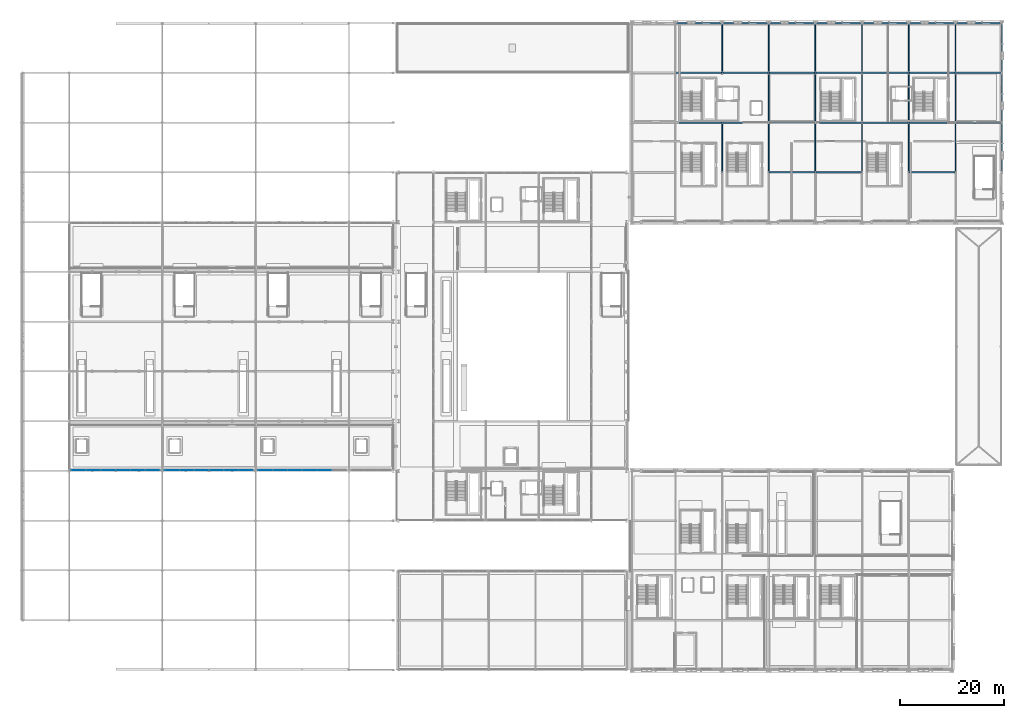
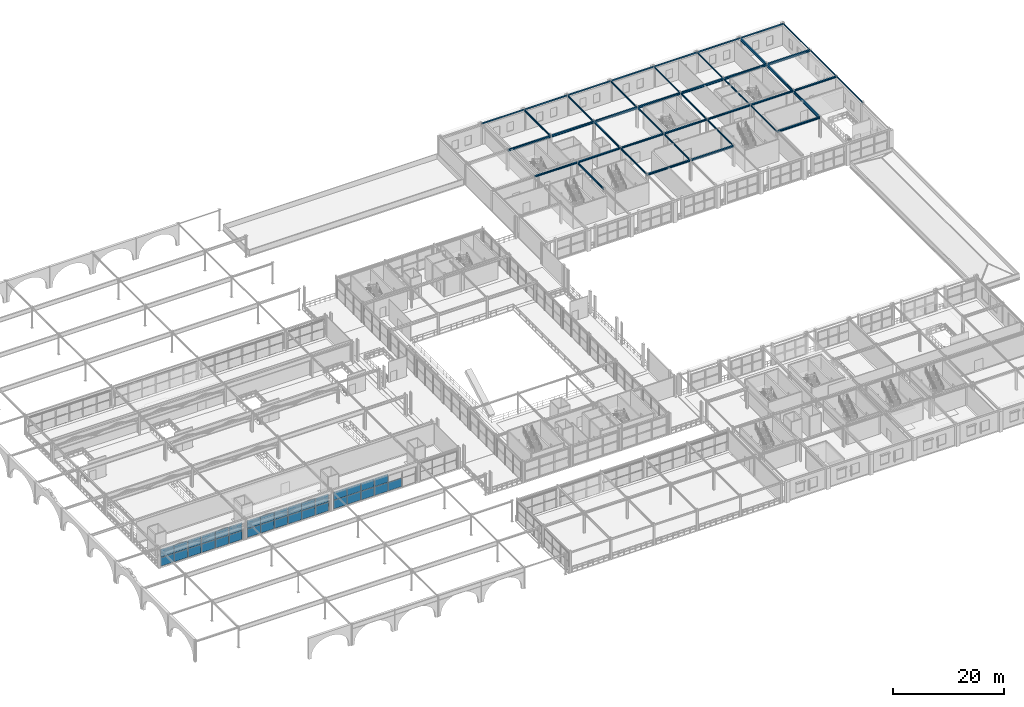
# One storey, part 58 of 125: 44 beams, 33 plates, 6 elements without a shape of their own.
"""IFC4 building model written with IfcOpenShell, lengths in metres."""

from ifc_helpers import new_model, si_unit, direction, frame, origin, origin_2d, place, context, subcontext, project, spatial, rectangle, hollow_rectangle, i_section, extrude, material, layer, layer_set, material_profile, profile_set, type_object, element, aggregate, save


model = new_model("IFC4")

# Units and contexts
model_context = context("Model", 3, precision=1e-05, world=origin(), true_north=direction((0.0, 1.0)))
body_context = subcontext(model_context, "Body", "Model", "MODEL_VIEW")
ifc_project = project(units=[si_unit("LENGTHUNIT", "METRE"), si_unit("AREAUNIT", "SQUARE_METRE"), si_unit("VOLUMEUNIT", "CUBIC_METRE"), si_unit("PLANEANGLEUNIT", "RADIAN"), si_unit("MASSUNIT", "GRAM", prefix="KILO")], contexts=[model_context])

# Site, building, storey
site_placement = place(None, origin())
site = spatial("IfcSite", under=ifc_project, at=site_placement, CompositionType="ELEMENT")
building_placement = place(site_placement, origin())
building = spatial("IfcBuilding", under=site, at=building_placement, Name="Myrtia Square Station", CompositionType="ELEMENT")
storey_placement = place(building_placement, frame((0.0, 0.0, 6.0)))
storey = spatial("IfcBuildingStorey", under=building, at=storey_placement, Name="L01", CompositionType="ELEMENT", Elevation=6.0)

# Beams
ifc_material_1 = material(Name="Steel S355", Category="steel")
ifc_material_profile_1 = material_profile(ifc_material_1, i_section(OverallWidth=0.300048828125, OverallDepth=0.43994140625, WebThickness=0.011474609375, FlangeThickness=0.02099609375, FilletRadius=0.027099609375, at=origin_2d()), Name="HEA 450")
ifc_profile_set_1 = profile_set([ifc_material_profile_1], Name="Steel S355")
beam_type_1 = type_object("IfcBeamType", Name="BM-HEA450", PredefinedType="BEAM", material=ifc_profile_set_1)
for number, where, z_axis, x_axis, name in (
    (1, (126.050048828125, 115.199951171875, 4.330078125), (1.0, 0.0, 0.0), (0.0, 1.0, 0.0), "Structural girder BMX-L01-0657"),
    (2, (135.050048828125, 115.199951171875, 4.330078125), (1.0, 0.0, 0.0), (0.0, 1.0, 0.0), "Structural girder BMX-L01-0658"),
    (3, (144.050048828125, 115.199951171875, 4.330078125), (1.0, 0.0, 0.0), (0.0, 1.0, 0.0), "Structural girder BMX-L01-0659"),
    (4, (153.050048828125, 115.199951171875, 4.330078125), (1.0, 0.0, 0.0), (0.0, 1.0, 0.0), "Structural girder BMX-L01-0660"),
    (5, (162.050048828125, 115.199951171875, 4.330078125), (1.0, 0.0, 0.0), (0.0, 1.0, 0.0), "Structural girder BMX-L01-0661"),
    (6, (171.050048828125, 115.199951171875, 4.330078125), (1.0, 0.0, 0.0), (0.0, 1.0, 0.0), "Structural girder BMX-L01-0662"),
    (7, (180.050048828125, 115.199951171875, 4.330078125), (1.0, 0.0, 0.0), (0.0, 1.0, 0.0), "Structural girder BMX-L01-0663"),
):
    element("IfcBeam", number, at=place(storey_placement, frame(where, z_axis=z_axis, x_axis=x_axis)), inside=storey, type_object=beam_type_1, Name=name, PredefinedType="BEAM", context=body_context, shape_type="SweptSolid", body=[
        extrude(i_section(OverallWidth=0.300048828125, OverallDepth=0.43994140625, WebThickness=0.011474609375, FlangeThickness=0.02099609375, FilletRadius=0.027099609375, at=origin_2d()), origin(), (0.0, 0.0, 1.0), 8.89990234375),
    ])
ifc_material_profile_2 = material_profile(ifc_material_1, i_section(OverallWidth=0.300048828125, OverallDepth=0.300048828125, WebThickness=0.010986328125, FlangeThickness=0.01904296875, FilletRadius=0.027099609375, at=origin_2d()), Name="HEB 300")
ifc_profile_set_2 = profile_set([ifc_material_profile_2], Name="Steel S355")
beam_type_2 = type_object("IfcBeamType", Name="BM-HEB300", PredefinedType="BEAM", material=ifc_profile_set_2)
for number, where, z_axis, x_axis, name in (
    (8, (126.050048828125, 105.60009765625, 4.39990234375), (1.0, 0.0, 0.0), (0.0, 1.0, 0.0), "Structural girder BMX-L01-0649"),
    (9, (135.050048828125, 105.60009765625, 4.39990234375), (1.0, 0.0, 0.0), (0.0, 1.0, 0.0), "Structural girder BMX-L01-0650"),
    (10, (144.050048828125, 105.60009765625, 4.39990234375), (1.0, 0.0, 0.0), (0.0, 1.0, 0.0), "Structural girder BMX-L01-0651"),
    (11, (153.050048828125, 105.60009765625, 4.39990234375), (1.0, 0.0, 0.0), (0.0, 1.0, 0.0), "Structural girder BMX-L01-0652"),
    (12, (162.050048828125, 105.60009765625, 4.39990234375), (1.0, 0.0, 0.0), (0.0, 1.0, 0.0), "Structural girder BMX-L01-0653"),
    (13, (171.050048828125, 105.60009765625, 4.39990234375), (1.0, 0.0, 0.0), (0.0, 1.0, 0.0), "Structural girder BMX-L01-0654"),
    (14, (180.050048828125, 105.60009765625, 4.39990234375), (1.0, 0.0, 0.0), (0.0, 1.0, 0.0), "Structural girder BMX-L01-0655"),
):
    element("IfcBeam", number, at=place(storey_placement, frame(where, z_axis=z_axis, x_axis=x_axis)), inside=storey, type_object=beam_type_2, Name=name, PredefinedType="BEAM", context=body_context, shape_type="SweptSolid", body=[
        extrude(i_section(OverallWidth=0.300048828125, OverallDepth=0.300048828125, WebThickness=0.010986328125, FlangeThickness=0.01904296875, FilletRadius=0.027099609375, at=origin_2d()), origin(), (0.0, 0.0, 1.0), 8.89990234375),
    ])
ifc_material_profile_3 = material_profile(ifc_material_1, i_section(OverallWidth=0.300048828125, OverallDepth=0.360107421875, WebThickness=0.012451171875, FlangeThickness=0.0224609375, FilletRadius=0.027099609375, at=origin_2d()), Name="HEB 360")
ifc_profile_set_3 = profile_set([ifc_material_profile_3], Name="Steel S355")
beam_type_3 = type_object("IfcBeamType", Name="BM-HEB360", PredefinedType="BEAM", material=ifc_profile_set_3)
for number, where, z_axis, x_axis, name in (
    (15, (144.050048828125, 96.0, 4.3701171875), (1.0, 0.0, 0.0), (0.0, 1.0, 0.0), "Structural girder BMX-L01-0645"),
    (16, (153.050048828125, 96.0, 4.3701171875), (1.0, 0.0, 0.0), (0.0, 1.0, 0.0), "Structural girder BMX-L01-0646"),
    (17, (171.050048828125, 96.0, 4.3701171875), (1.0, 0.0, 0.0), (0.0, 1.0, 0.0), "Structural girder BMX-L01-0647"),
):
    element("IfcBeam", number, at=place(storey_placement, frame(where, z_axis=z_axis, x_axis=x_axis)), inside=storey, type_object=beam_type_3, Name=name, PredefinedType="BEAM", context=body_context, shape_type="SweptSolid", body=[
        extrude(i_section(OverallWidth=0.300048828125, OverallDepth=0.360107421875, WebThickness=0.012451171875, FlangeThickness=0.0224609375, FilletRadius=0.027099609375, at=origin_2d()), origin(), (0.0, 0.0, 1.0), 8.89990234375),
    ])
ifc_material_profile_4 = material_profile(ifc_material_1, i_section(OverallWidth=0.135009765625, OverallDepth=0.27001953125, WebThickness=0.006591796875, FlangeThickness=0.01025390625, FilletRadius=0.014892578125, at=origin_2d()), Name="IPE 270")
ifc_profile_set_4 = profile_set([ifc_material_profile_4], Name="Steel S355")
beam_type_4 = type_object("IfcBeamType", Name="BM-IPE270", PredefinedType="BEAM", material=ifc_profile_set_4)
for number, where, z_axis, x_axis, name in (
    (18, (171.0, 96.050048828125, 4.4150390625), (0.0, 1.0, 0.0), (-1.0, 0.0, 0.0), "Structural girder BMY-L01-0684"),
    (19, (171.0, 105.64990234375, 4.4150390625), (0.0, 1.0, 0.0), (-1.0, 0.0, 0.0), "Structural girder BMY-L01-0685"),
    (20, (171.0, 115.25, 4.4150390625), (0.0, 1.0, 0.0), (-1.0, 0.0, 0.0), "Structural girder BMY-L01-0686"),
):
    element("IfcBeam", number, at=place(storey_placement, frame(where, z_axis=z_axis, x_axis=x_axis)), inside=storey, type_object=beam_type_4, Name=name, PredefinedType="BEAM", context=body_context, shape_type="SweptSolid", body=[
        extrude(i_section(OverallWidth=0.135009765625, OverallDepth=0.27001953125, WebThickness=0.006591796875, FlangeThickness=0.01025390625, FilletRadius=0.014892578125, at=origin_2d()), origin(), (0.0, 0.0, 1.0), 9.5),
    ])
ifc_material_profile_5 = material_profile(ifc_material_1, i_section(OverallWidth=0.14990234375, OverallDepth=0.300048828125, WebThickness=0.007080078125, FlangeThickness=0.0107421875, FilletRadius=0.014892578125, at=origin_2d()), Name="IPE 300")
ifc_profile_set_5 = profile_set([ifc_material_profile_5], Name="Steel S355")
beam_type_5 = type_object("IfcBeamType", Name="BM-IPE300", PredefinedType="BEAM", material=ifc_profile_set_5)
for number, where, z_axis, x_axis, name in (
    (21, (162.0, 96.050048828125, 4.39990234375), (0.0, 1.0, 0.0), (-1.0, 0.0, 0.0), "Structural girder BMY-L01-0680"),
    (22, (162.0, 105.64990234375, 4.39990234375), (0.0, 1.0, 0.0), (-1.0, 0.0, 0.0), "Structural girder BMY-L01-0681"),
    (23, (162.0, 115.25, 4.39990234375), (0.0, 1.0, 0.0), (-1.0, 0.0, 0.0), "Structural girder BMY-L01-0682"),
):
    element("IfcBeam", number, at=place(storey_placement, frame(where, z_axis=z_axis, x_axis=x_axis)), inside=storey, type_object=beam_type_5, Name=name, PredefinedType="BEAM", context=body_context, shape_type="SweptSolid", body=[
        extrude(i_section(OverallWidth=0.14990234375, OverallDepth=0.300048828125, WebThickness=0.007080078125, FlangeThickness=0.0107421875, FilletRadius=0.014892578125, at=origin_2d()), origin(), (0.0, 0.0, 1.0), 9.5),
    ])
ifc_material_profile_6 = material_profile(ifc_material_1, i_section(OverallWidth=0.159912109375, OverallDepth=0.330078125, WebThickness=0.007568359375, FlangeThickness=0.011474609375, FilletRadius=0.01806640625, at=origin_2d()), Name="IPE 330")
ifc_profile_set_6 = profile_set([ifc_material_profile_6], Name="Steel S355")
beam_type_6 = type_object("IfcBeamType", Name="BM-IPE330", PredefinedType="BEAM", material=ifc_profile_set_6)
for number, where, z_axis, x_axis, name in (
    (24, (153.0, 96.050048828125, 4.385009765625), (0.0, 1.0, 0.0), (-1.0, 0.0, 0.0), "Structural girder BMY-L01-0676"),
    (25, (153.0, 105.64990234375, 4.385009765625), (0.0, 1.0, 0.0), (-1.0, 0.0, 0.0), "Structural girder BMY-L01-0677"),
    (26, (153.0, 115.25, 4.385009765625), (0.0, 1.0, 0.0), (-1.0, 0.0, 0.0), "Structural girder BMY-L01-0678"),
):
    element("IfcBeam", number, at=place(storey_placement, frame(where, z_axis=z_axis, x_axis=x_axis)), inside=storey, type_object=beam_type_6, Name=name, PredefinedType="BEAM", context=body_context, shape_type="SweptSolid", body=[
        extrude(i_section(OverallWidth=0.159912109375, OverallDepth=0.330078125, WebThickness=0.007568359375, FlangeThickness=0.011474609375, FilletRadius=0.01806640625, at=origin_2d()), origin(), (0.0, 0.0, 1.0), 9.5),
    ])
ifc_material_profile_7 = material_profile(ifc_material_1, i_section(OverallWidth=0.169921875, OverallDepth=0.360107421875, WebThickness=0.008056640625, FlangeThickness=0.0126953125, FilletRadius=0.01806640625, at=origin_2d()), Name="IPE 360")
ifc_profile_set_7 = profile_set([ifc_material_profile_7], Name="Steel S355")
beam_type_7 = type_object("IfcBeamType", Name="BM-IPE360", PredefinedType="BEAM", material=ifc_profile_set_7)
for number, where, z_axis, x_axis, name in (
    (27, (144.0, 96.050048828125, 4.3701171875), (0.0, 1.0, 0.0), (-1.0, 0.0, 0.0), "Structural girder BMY-L01-0672"),
    (28, (144.0, 105.64990234375, 4.3701171875), (0.0, 1.0, 0.0), (-1.0, 0.0, 0.0), "Structural girder BMY-L01-0673"),
    (29, (144.0, 115.25, 4.3701171875), (0.0, 1.0, 0.0), (-1.0, 0.0, 0.0), "Structural girder BMY-L01-0674"),
):
    element("IfcBeam", number, at=place(storey_placement, frame(where, z_axis=z_axis, x_axis=x_axis)), inside=storey, type_object=beam_type_7, Name=name, PredefinedType="BEAM", context=body_context, shape_type="SweptSolid", body=[
        extrude(i_section(OverallWidth=0.169921875, OverallDepth=0.360107421875, WebThickness=0.008056640625, FlangeThickness=0.0126953125, FilletRadius=0.01806640625, at=origin_2d()), origin(), (0.0, 0.0, 1.0), 9.5),
    ])
ifc_material_profile_8 = material_profile(ifc_material_1, i_section(OverallWidth=0.179931640625, OverallDepth=0.39990234375, WebThickness=0.008544921875, FlangeThickness=0.013427734375, FilletRadius=0.02099609375, at=origin_2d()), Name="IPE 400")
ifc_profile_set_8 = profile_set([ifc_material_profile_8], Name="Steel S355")
beam_type_8 = type_object("IfcBeamType", Name="BM-IPE400", PredefinedType="BEAM", material=ifc_profile_set_8)
for number, where, z_axis, x_axis, name in (
    (30, (135.0, 96.050048828125, 4.35009765625), (0.0, 1.0, 0.0), (-1.0, 0.0, 0.0), "Structural girder BMY-L01-0669"),
    (31, (135.0, 115.25, 4.35009765625), (0.0, 1.0, 0.0), (-1.0, 0.0, 0.0), "Structural girder BMY-L01-0670"),
):
    element("IfcBeam", number, at=place(storey_placement, frame(where, z_axis=z_axis, x_axis=x_axis)), inside=storey, type_object=beam_type_8, Name=name, PredefinedType="BEAM", context=body_context, shape_type="SweptSolid", body=[
        extrude(i_section(OverallWidth=0.179931640625, OverallDepth=0.39990234375, WebThickness=0.008544921875, FlangeThickness=0.013427734375, FilletRadius=0.02099609375, at=origin_2d()), origin(), (0.0, 0.0, 1.0), 9.5),
    ])
ifc_material_profile_9 = material_profile(ifc_material_1, i_section(OverallWidth=0.219970703125, OverallDepth=0.60009765625, WebThickness=0.011962890625, FlangeThickness=0.01904296875, FilletRadius=0.02392578125, at=origin_2d()), Name="IPE 600")
ifc_profile_set_9 = profile_set([ifc_material_profile_9], Name="Steel S355")
beam_type_9 = type_object("IfcBeamType", Name="BM-IPE600", PredefinedType="BEAM", material=ifc_profile_set_9)
for number, where, z_axis, x_axis, name in (
    (32, (180.0, 96.050048828125, 4.25), (0.0, 1.0, 0.0), (-1.0, 0.0, 0.0), "Structural girder BMY-L01-0688"),
    (33, (180.0, 105.64990234375, 4.25), (0.0, 1.0, 0.0), (-1.0, 0.0, 0.0), "Structural girder BMY-L01-0689"),
    (34, (180.0, 115.25, 4.25), (0.0, 1.0, 0.0), (-1.0, 0.0, 0.0), "Structural girder BMY-L01-0690"),
):
    element("IfcBeam", number, at=place(storey_placement, frame(where, z_axis=z_axis, x_axis=x_axis)), inside=storey, type_object=beam_type_9, Name=name, PredefinedType="BEAM", context=body_context, shape_type="SweptSolid", body=[
        extrude(i_section(OverallWidth=0.219970703125, OverallDepth=0.60009765625, WebThickness=0.011962890625, FlangeThickness=0.01904296875, FilletRadius=0.02392578125, at=origin_2d()), origin(), (0.0, 0.0, 1.0), 9.5),
    ])
ifc_material_profile_10 = material_profile(ifc_material_1, hollow_rectangle(XDim=0.14990234375, YDim=0.25, WallThickness=0.012451171875, InnerFilletRadius=0.012451171875, OuterFilletRadius=0.02490234375, at=origin_2d()), Name="RHS 250x150x12.5")
ifc_profile_set_10 = profile_set([ifc_material_profile_10], Name="Steel S355")
beam_type_10 = type_object("IfcBeamType", Name="SPN-RHS250", PredefinedType="SPANDREL", material=ifc_profile_set_10)
for number, where, z_axis, x_axis, name in (
    (35, (189.0, 96.050048828125, 4.425048828125), (0.0, 1.0, 0.0), (-1.0, 0.0, 0.0), "Structural girder SPNY-L01-0193"),
    (36, (189.0, 105.64990234375, 4.425048828125), (0.0, 1.0, 0.0), (-1.0, 0.0, 0.0), "Structural girder SPNY-L01-0194"),
    (37, (189.0, 115.25, 4.425048828125), (0.0, 1.0, 0.0), (-1.0, 0.0, 0.0), "Structural girder SPNY-L01-0195"),
):
    element("IfcBeam", number, at=place(storey_placement, frame(where, z_axis=z_axis, x_axis=x_axis)), inside=storey, type_object=beam_type_10, Name=name, PredefinedType="SPANDREL", context=body_context, shape_type="SweptSolid", body=[
        extrude(hollow_rectangle(XDim=0.14990234375, YDim=0.25, WallThickness=0.012451171875, InnerFilletRadius=0.012451171875, OuterFilletRadius=0.02490234375, at=origin_2d()), origin(), (0.0, 0.0, 1.0), 9.5),
    ])
ifc_material_profile_11 = material_profile(ifc_material_1, hollow_rectangle(XDim=0.199951171875, YDim=0.300048828125, WallThickness=0.01611328125, InnerFilletRadius=0.01611328125, OuterFilletRadius=0.031982421875, at=origin_2d()), Name="RHS 300x200x16")
ifc_profile_set_11 = profile_set([ifc_material_profile_11], Name="Steel S355")
beam_type_11 = type_object("IfcBeamType", Name="SPN-RHS300", PredefinedType="SPANDREL", material=ifc_profile_set_11)
for number, where, z_axis, x_axis, name in (
    (38, (126.050048828125, 124.800048828125, 4.39990234375), (1.0, 0.0, 0.0), (0.0, 1.0, 0.0), "Structural girder SPN-L01-0181"),
    (39, (135.050048828125, 124.800048828125, 4.39990234375), (1.0, 0.0, 0.0), (0.0, 1.0, 0.0), "Structural girder SPN-L01-0182"),
    (40, (144.050048828125, 124.800048828125, 4.39990234375), (1.0, 0.0, 0.0), (0.0, 1.0, 0.0), "Structural girder SPN-L01-0183"),
    (41, (153.050048828125, 124.800048828125, 4.39990234375), (1.0, 0.0, 0.0), (0.0, 1.0, 0.0), "Structural girder SPN-L01-0184"),
    (42, (162.050048828125, 124.800048828125, 4.39990234375), (1.0, 0.0, 0.0), (0.0, 1.0, 0.0), "Structural girder SPN-L01-0185"),
    (43, (171.050048828125, 124.800048828125, 4.39990234375), (1.0, 0.0, 0.0), (0.0, 1.0, 0.0), "Structural girder SPN-L01-0186"),
    (44, (180.050048828125, 124.800048828125, 4.39990234375), (1.0, 0.0, 0.0), (0.0, 1.0, 0.0), "Structural girder SPN-L01-0187"),
):
    element("IfcBeam", number, at=place(storey_placement, frame(where, z_axis=z_axis, x_axis=x_axis)), inside=storey, type_object=beam_type_11, Name=name, PredefinedType="SPANDREL", context=body_context, shape_type="SweptSolid", body=[
        extrude(hollow_rectangle(XDim=0.199951171875, YDim=0.300048828125, WallThickness=0.01611328125, InnerFilletRadius=0.01611328125, OuterFilletRadius=0.031982421875, at=origin_2d()), origin(), (0.0, 0.0, 1.0), 8.89990234375),
    ])

# Curtain wall, plates
ifc_material_2 = material(Name="Dark bronze anodised aluminium", Category="aluminium")
ifc_layer_1 = layer(ifc_material_2, 0.159912109375, Name="Dark bronze anodised aluminium")
ifc_layer_set_1 = layer_set([ifc_layer_1], Name="Dark bronze anodised aluminium")
curtain_wall_type = type_object("IfcCurtainWallType", Name="CW-TYPE-18-855x385", PredefinedType="USERDEFINED", material=ifc_layer_set_1)
curtain_wall_1_placement = place(storey_placement, origin())
curtain_wall_1 = element("IfcCurtainWall", 45, at=curtain_wall_1_placement, inside=storey, type_object=curtain_wall_type, Name="Concourse curtain wall CW-L01-061", ObjectType="CONCOURSE CURTAIN WALL", PredefinedType="USERDEFINED")
ifc_material_3 = material(Name="Tinted low-E solar control glass", Category="glass")
ifc_layer_2 = layer(ifc_material_3, 0.028076171875, Name="Tinted low-E solar control glass")
ifc_layer_set_2 = layer_set([ifc_layer_2], Name="Tinted low-E solar control glass")
plate_type_1 = type_object("IfcPlateType", Name="CWP-GLZ-28", PredefinedType="CURTAIN_PANEL", material=ifc_layer_set_2)
plate_1_placement = place(storey_placement, frame((19.43994140625, 38.550048828125, 0.06005859375), z_axis=(0.0, 0.0, 1.0), x_axis=(1.0, 0.0, 0.0)))
plate_1 = element("IfcPlate", 46, at=plate_1_placement, type_object=plate_type_1, Name="CW-061 panel 1.1", PredefinedType="CURTAIN_PANEL", context=body_context, shape_type="SweptSolid", body=[
    extrude(rectangle(XDim=2.760009765625, YDim=0.028076171875, at=origin_2d()), origin(), (0.0, 0.0, 1.0), 1.912109375),
])
plate_2_placement = place(storey_placement, frame((19.43994140625, 38.550048828125, 2.03173828125), z_axis=(0.0, 0.0, 1.0), x_axis=(1.0, 0.0, 0.0)))
plate_2 = element("IfcPlate", 47, at=plate_2_placement, type_object=plate_type_1, Name="CW-061 panel 1.2", PredefinedType="CURTAIN_PANEL", context=body_context, shape_type="SweptSolid", body=[
    extrude(rectangle(XDim=2.760009765625, YDim=0.028076171875, at=origin_2d()), origin(), (0.0, 0.0, 1.0), 1.758056640625),
])
plate_3_placement = place(storey_placement, frame((22.27490234375, 38.550048828125, 0.06005859375), z_axis=(0.0, 0.0, 1.0), x_axis=(1.0, 0.0, 0.0)))
plate_3 = element("IfcPlate", 48, at=plate_3_placement, type_object=plate_type_1, Name="CW-061 panel 2.1", PredefinedType="CURTAIN_PANEL", context=body_context, shape_type="SweptSolid", body=[
    extrude(rectangle(XDim=2.7900390625, YDim=0.028076171875, at=origin_2d()), origin(), (0.0, 0.0, 1.0), 1.912109375),
])
plate_4_placement = place(storey_placement, frame((22.27490234375, 38.550048828125, 2.03173828125), z_axis=(0.0, 0.0, 1.0), x_axis=(1.0, 0.0, 0.0)))
plate_4 = element("IfcPlate", 49, at=plate_4_placement, type_object=plate_type_1, Name="CW-061 panel 2.2", PredefinedType="CURTAIN_PANEL", context=body_context, shape_type="SweptSolid", body=[
    extrude(rectangle(XDim=2.7900390625, YDim=0.028076171875, at=origin_2d()), origin(), (0.0, 0.0, 1.0), 1.758056640625),
])
plate_5_placement = place(storey_placement, frame((25.110107421875, 38.550048828125, 0.06005859375), z_axis=(0.0, 0.0, 1.0), x_axis=(1.0, 0.0, 0.0)))
plate_5 = element("IfcPlate", 50, at=plate_5_placement, type_object=plate_type_1, Name="CW-061 panel 3.1", PredefinedType="CURTAIN_PANEL", context=body_context, shape_type="SweptSolid", body=[
    extrude(rectangle(XDim=2.760009765625, YDim=0.028076171875, at=origin_2d()), origin(), (0.0, 0.0, 1.0), 1.912109375),
])
plate_6_placement = place(storey_placement, frame((25.110107421875, 38.550048828125, 2.03173828125), z_axis=(0.0, 0.0, 1.0), x_axis=(1.0, 0.0, 0.0)))
plate_6 = element("IfcPlate", 51, at=plate_6_placement, type_object=plate_type_1, Name="CW-061 panel 3.2", PredefinedType="CURTAIN_PANEL", context=body_context, shape_type="SweptSolid", body=[
    extrude(rectangle(XDim=2.760009765625, YDim=0.028076171875, at=origin_2d()), origin(), (0.0, 0.0, 1.0), 1.758056640625),
])
aggregate(curtain_wall_1, [plate_1, plate_2, plate_3, plate_4, plate_5, plate_6])

curtain_wall_2_placement = place(storey_placement, origin())
curtain_wall_2 = element("IfcCurtainWall", 52, at=curtain_wall_2_placement, inside=storey, type_object=curtain_wall_type, Name="Concourse curtain wall CW-L01-065", ObjectType="CONCOURSE CURTAIN WALL", PredefinedType="USERDEFINED")
plate_7_placement = place(storey_placement, frame((37.43994140625, 38.550048828125, 0.06005859375), z_axis=(0.0, 0.0, 1.0), x_axis=(1.0, 0.0, 0.0)))
plate_7 = element("IfcPlate", 53, at=plate_7_placement, type_object=plate_type_1, Name="CW-065 panel 1.1", PredefinedType="CURTAIN_PANEL", context=body_context, shape_type="SweptSolid", body=[
    extrude(rectangle(XDim=2.760009765625, YDim=0.028076171875, at=origin_2d()), origin(), (0.0, 0.0, 1.0), 1.912109375),
])
plate_8_placement = place(storey_placement, frame((37.43994140625, 38.550048828125, 2.03173828125), z_axis=(0.0, 0.0, 1.0), x_axis=(1.0, 0.0, 0.0)))
plate_8 = element("IfcPlate", 54, at=plate_8_placement, type_object=plate_type_1, Name="CW-065 panel 1.2", PredefinedType="CURTAIN_PANEL", context=body_context, shape_type="SweptSolid", body=[
    extrude(rectangle(XDim=2.760009765625, YDim=0.028076171875, at=origin_2d()), origin(), (0.0, 0.0, 1.0), 1.758056640625),
])
plate_9_placement = place(storey_placement, frame((40.27490234375, 38.550048828125, 0.06005859375), z_axis=(0.0, 0.0, 1.0), x_axis=(1.0, 0.0, 0.0)))
plate_9 = element("IfcPlate", 55, at=plate_9_placement, type_object=plate_type_1, Name="CW-065 panel 2.1", PredefinedType="CURTAIN_PANEL", context=body_context, shape_type="SweptSolid", body=[
    extrude(rectangle(XDim=2.7900390625, YDim=0.028076171875, at=origin_2d()), origin(), (0.0, 0.0, 1.0), 1.912109375),
])
plate_10_placement = place(storey_placement, frame((40.27490234375, 38.550048828125, 2.03173828125), z_axis=(0.0, 0.0, 1.0), x_axis=(1.0, 0.0, 0.0)))
plate_10 = element("IfcPlate", 56, at=plate_10_placement, type_object=plate_type_1, Name="CW-065 panel 2.2", PredefinedType="CURTAIN_PANEL", context=body_context, shape_type="SweptSolid", body=[
    extrude(rectangle(XDim=2.7900390625, YDim=0.028076171875, at=origin_2d()), origin(), (0.0, 0.0, 1.0), 1.758056640625),
])
plate_11_placement = place(storey_placement, frame((43.110107421875, 38.550048828125, 0.06005859375), z_axis=(0.0, 0.0, 1.0), x_axis=(1.0, 0.0, 0.0)))
plate_11 = element("IfcPlate", 57, at=plate_11_placement, type_object=plate_type_1, Name="CW-065 panel 3.1", PredefinedType="CURTAIN_PANEL", context=body_context, shape_type="SweptSolid", body=[
    extrude(rectangle(XDim=2.760009765625, YDim=0.028076171875, at=origin_2d()), origin(), (0.0, 0.0, 1.0), 1.912109375),
])
plate_12_placement = place(storey_placement, frame((43.110107421875, 38.550048828125, 2.03173828125), z_axis=(0.0, 0.0, 1.0), x_axis=(1.0, 0.0, 0.0)))
plate_12 = element("IfcPlate", 58, at=plate_12_placement, type_object=plate_type_1, Name="CW-065 panel 3.2", PredefinedType="CURTAIN_PANEL", context=body_context, shape_type="SweptSolid", body=[
    extrude(rectangle(XDim=2.760009765625, YDim=0.028076171875, at=origin_2d()), origin(), (0.0, 0.0, 1.0), 1.758056640625),
])
aggregate(curtain_wall_2, [plate_7, plate_8, plate_9, plate_10, plate_11, plate_12])

curtain_wall_3_placement = place(storey_placement, origin())
curtain_wall_3 = element("IfcCurtainWall", 59, at=curtain_wall_3_placement, inside=storey, type_object=curtain_wall_type, Name="Concourse curtain wall CW-L01-069", ObjectType="CONCOURSE CURTAIN WALL", PredefinedType="USERDEFINED")
plate_13_placement = place(storey_placement, frame((55.43994140625, 38.550048828125, 0.06005859375), z_axis=(0.0, 0.0, 1.0), x_axis=(1.0, 0.0, 0.0)))
plate_13 = element("IfcPlate", 60, at=plate_13_placement, type_object=plate_type_1, Name="CW-069 panel 1.1", PredefinedType="CURTAIN_PANEL", context=body_context, shape_type="SweptSolid", body=[
    extrude(rectangle(XDim=2.760009765625, YDim=0.028076171875, at=origin_2d()), origin(), (0.0, 0.0, 1.0), 1.912109375),
])
plate_14_placement = place(storey_placement, frame((55.43994140625, 38.550048828125, 2.03173828125), z_axis=(0.0, 0.0, 1.0), x_axis=(1.0, 0.0, 0.0)))
plate_14 = element("IfcPlate", 61, at=plate_14_placement, type_object=plate_type_1, Name="CW-069 panel 1.2", PredefinedType="CURTAIN_PANEL", context=body_context, shape_type="SweptSolid", body=[
    extrude(rectangle(XDim=2.760009765625, YDim=0.028076171875, at=origin_2d()), origin(), (0.0, 0.0, 1.0), 1.758056640625),
])
plate_15_placement = place(storey_placement, frame((58.27490234375, 38.550048828125, 0.06005859375), z_axis=(0.0, 0.0, 1.0), x_axis=(1.0, 0.0, 0.0)))
plate_15 = element("IfcPlate", 62, at=plate_15_placement, type_object=plate_type_1, Name="CW-069 panel 2.1", PredefinedType="CURTAIN_PANEL", context=body_context, shape_type="SweptSolid", body=[
    extrude(rectangle(XDim=2.7900390625, YDim=0.028076171875, at=origin_2d()), origin(), (0.0, 0.0, 1.0), 1.912109375),
])
aggregate(curtain_wall_3, [plate_13, plate_14, plate_15])

curtain_wall_4_placement = place(storey_placement, origin())
curtain_wall_4 = element("IfcCurtainWall", 63, at=curtain_wall_4_placement, inside=storey, type_object=curtain_wall_type, Name="Concourse curtain wall CW-L01-059", ObjectType="CONCOURSE CURTAIN WALL", PredefinedType="USERDEFINED")
ifc_layer_3 = layer(ifc_material_3, 0.035888671875, Name="Tinted low-E solar control glass")
ifc_layer_set_3 = layer_set([ifc_layer_3], Name="Tinted low-E solar control glass")
plate_type_2 = type_object("IfcPlateType", Name="CWP-GLZ-36", PredefinedType="CURTAIN_PANEL", material=ifc_layer_set_3)
plate_16_placement = place(storey_placement, frame((10.889892578125, 38.550048828125, 0.06005859375), z_axis=(0.0, 0.0, 1.0), x_axis=(1.0, 0.0, 0.0)))
plate_16 = element("IfcPlate", 64, at=plate_16_placement, type_object=plate_type_2, Name="CW-059 panel 1.1", PredefinedType="CURTAIN_PANEL", context=body_context, shape_type="SweptSolid", body=[
    extrude(rectangle(XDim=2.760009765625, YDim=0.035888671875, at=origin_2d()), origin(), (0.0, 0.0, 1.0), 1.912109375),
])
plate_17_placement = place(storey_placement, frame((10.889892578125, 38.550048828125, 2.03173828125), z_axis=(0.0, 0.0, 1.0), x_axis=(1.0, 0.0, 0.0)))
plate_17 = element("IfcPlate", 65, at=plate_17_placement, type_object=plate_type_2, Name="CW-059 panel 1.2", PredefinedType="CURTAIN_PANEL", context=body_context, shape_type="SweptSolid", body=[
    extrude(rectangle(XDim=2.760009765625, YDim=0.035888671875, at=origin_2d()), origin(), (0.0, 0.0, 1.0), 1.758056640625),
])
plate_18_placement = place(storey_placement, frame((13.72509765625, 38.550048828125, 0.06005859375), z_axis=(0.0, 0.0, 1.0), x_axis=(1.0, 0.0, 0.0)))
plate_18 = element("IfcPlate", 66, at=plate_18_placement, type_object=plate_type_2, Name="CW-059 panel 2.1", PredefinedType="CURTAIN_PANEL", context=body_context, shape_type="SweptSolid", body=[
    extrude(rectangle(XDim=2.7900390625, YDim=0.035888671875, at=origin_2d()), origin(), (0.0, 0.0, 1.0), 1.912109375),
])
plate_19_placement = place(storey_placement, frame((13.72509765625, 38.550048828125, 2.03173828125), z_axis=(0.0, 0.0, 1.0), x_axis=(1.0, 0.0, 0.0)))
plate_19 = element("IfcPlate", 67, at=plate_19_placement, type_object=plate_type_2, Name="CW-059 panel 2.2", PredefinedType="CURTAIN_PANEL", context=body_context, shape_type="SweptSolid", body=[
    extrude(rectangle(XDim=2.7900390625, YDim=0.035888671875, at=origin_2d()), origin(), (0.0, 0.0, 1.0), 1.758056640625),
])
plate_20_placement = place(storey_placement, frame((16.56005859375, 38.550048828125, 0.06005859375), z_axis=(0.0, 0.0, 1.0), x_axis=(1.0, 0.0, 0.0)))
plate_20 = element("IfcPlate", 68, at=plate_20_placement, type_object=plate_type_2, Name="CW-059 panel 3.1", PredefinedType="CURTAIN_PANEL", context=body_context, shape_type="SweptSolid", body=[
    extrude(rectangle(XDim=2.760009765625, YDim=0.035888671875, at=origin_2d()), origin(), (0.0, 0.0, 1.0), 1.912109375),
])
plate_21_placement = place(storey_placement, frame((16.56005859375, 38.550048828125, 2.03173828125), z_axis=(0.0, 0.0, 1.0), x_axis=(1.0, 0.0, 0.0)))
plate_21 = element("IfcPlate", 69, at=plate_21_placement, type_object=plate_type_2, Name="CW-059 panel 3.2", PredefinedType="CURTAIN_PANEL", context=body_context, shape_type="SweptSolid", body=[
    extrude(rectangle(XDim=2.760009765625, YDim=0.035888671875, at=origin_2d()), origin(), (0.0, 0.0, 1.0), 1.758056640625),
])
aggregate(curtain_wall_4, [plate_16, plate_17, plate_18, plate_19, plate_20, plate_21])

curtain_wall_5_placement = place(storey_placement, origin())
curtain_wall_5 = element("IfcCurtainWall", 70, at=curtain_wall_5_placement, inside=storey, type_object=curtain_wall_type, Name="Concourse curtain wall CW-L01-063", ObjectType="CONCOURSE CURTAIN WALL", PredefinedType="USERDEFINED")
plate_22_placement = place(storey_placement, frame((28.889892578125, 38.550048828125, 0.06005859375), z_axis=(0.0, 0.0, 1.0), x_axis=(1.0, 0.0, 0.0)))
plate_22 = element("IfcPlate", 71, at=plate_22_placement, type_object=plate_type_2, Name="CW-063 panel 1.1", PredefinedType="CURTAIN_PANEL", context=body_context, shape_type="SweptSolid", body=[
    extrude(rectangle(XDim=2.760009765625, YDim=0.035888671875, at=origin_2d()), origin(), (0.0, 0.0, 1.0), 1.912109375),
])
plate_23_placement = place(storey_placement, frame((28.889892578125, 38.550048828125, 2.03173828125), z_axis=(0.0, 0.0, 1.0), x_axis=(1.0, 0.0, 0.0)))
plate_23 = element("IfcPlate", 72, at=plate_23_placement, type_object=plate_type_2, Name="CW-063 panel 1.2", PredefinedType="CURTAIN_PANEL", context=body_context, shape_type="SweptSolid", body=[
    extrude(rectangle(XDim=2.760009765625, YDim=0.035888671875, at=origin_2d()), origin(), (0.0, 0.0, 1.0), 1.758056640625),
])
plate_24_placement = place(storey_placement, frame((31.72509765625, 38.550048828125, 0.06005859375), z_axis=(0.0, 0.0, 1.0), x_axis=(1.0, 0.0, 0.0)))
plate_24 = element("IfcPlate", 73, at=plate_24_placement, type_object=plate_type_2, Name="CW-063 panel 2.1", PredefinedType="CURTAIN_PANEL", context=body_context, shape_type="SweptSolid", body=[
    extrude(rectangle(XDim=2.7900390625, YDim=0.035888671875, at=origin_2d()), origin(), (0.0, 0.0, 1.0), 1.912109375),
])
plate_25_placement = place(storey_placement, frame((31.72509765625, 38.550048828125, 2.03173828125), z_axis=(0.0, 0.0, 1.0), x_axis=(1.0, 0.0, 0.0)))
plate_25 = element("IfcPlate", 74, at=plate_25_placement, type_object=plate_type_2, Name="CW-063 panel 2.2", PredefinedType="CURTAIN_PANEL", context=body_context, shape_type="SweptSolid", body=[
    extrude(rectangle(XDim=2.7900390625, YDim=0.035888671875, at=origin_2d()), origin(), (0.0, 0.0, 1.0), 1.758056640625),
])
plate_26_placement = place(storey_placement, frame((34.56005859375, 38.550048828125, 0.06005859375), z_axis=(0.0, 0.0, 1.0), x_axis=(1.0, 0.0, 0.0)))
plate_26 = element("IfcPlate", 75, at=plate_26_placement, type_object=plate_type_2, Name="CW-063 panel 3.1", PredefinedType="CURTAIN_PANEL", context=body_context, shape_type="SweptSolid", body=[
    extrude(rectangle(XDim=2.760009765625, YDim=0.035888671875, at=origin_2d()), origin(), (0.0, 0.0, 1.0), 1.912109375),
])
plate_27_placement = place(storey_placement, frame((34.56005859375, 38.550048828125, 2.03173828125), z_axis=(0.0, 0.0, 1.0), x_axis=(1.0, 0.0, 0.0)))
plate_27 = element("IfcPlate", 76, at=plate_27_placement, type_object=plate_type_2, Name="CW-063 panel 3.2", PredefinedType="CURTAIN_PANEL", context=body_context, shape_type="SweptSolid", body=[
    extrude(rectangle(XDim=2.760009765625, YDim=0.035888671875, at=origin_2d()), origin(), (0.0, 0.0, 1.0), 1.758056640625),
])
aggregate(curtain_wall_5, [plate_22, plate_23, plate_24, plate_25, plate_26, plate_27])

curtain_wall_6_placement = place(storey_placement, origin())
curtain_wall_6 = element("IfcCurtainWall", 77, at=curtain_wall_6_placement, inside=storey, type_object=curtain_wall_type, Name="Concourse curtain wall CW-L01-067", ObjectType="CONCOURSE CURTAIN WALL", PredefinedType="USERDEFINED")
plate_28_placement = place(storey_placement, frame((46.889892578125, 38.550048828125, 0.06005859375), z_axis=(0.0, 0.0, 1.0), x_axis=(1.0, 0.0, 0.0)))
plate_28 = element("IfcPlate", 78, at=plate_28_placement, type_object=plate_type_2, Name="CW-067 panel 1.1", PredefinedType="CURTAIN_PANEL", context=body_context, shape_type="SweptSolid", body=[
    extrude(rectangle(XDim=2.760009765625, YDim=0.035888671875, at=origin_2d()), origin(), (0.0, 0.0, 1.0), 1.912109375),
])
plate_29_placement = place(storey_placement, frame((46.889892578125, 38.550048828125, 2.03173828125), z_axis=(0.0, 0.0, 1.0), x_axis=(1.0, 0.0, 0.0)))
plate_29 = element("IfcPlate", 79, at=plate_29_placement, type_object=plate_type_2, Name="CW-067 panel 1.2", PredefinedType="CURTAIN_PANEL", context=body_context, shape_type="SweptSolid", body=[
    extrude(rectangle(XDim=2.760009765625, YDim=0.035888671875, at=origin_2d()), origin(), (0.0, 0.0, 1.0), 1.758056640625),
])
plate_30_placement = place(storey_placement, frame((49.72509765625, 38.550048828125, 0.06005859375), z_axis=(0.0, 0.0, 1.0), x_axis=(1.0, 0.0, 0.0)))
plate_30 = element("IfcPlate", 80, at=plate_30_placement, type_object=plate_type_2, Name="CW-067 panel 2.1", PredefinedType="CURTAIN_PANEL", context=body_context, shape_type="SweptSolid", body=[
    extrude(rectangle(XDim=2.7900390625, YDim=0.035888671875, at=origin_2d()), origin(), (0.0, 0.0, 1.0), 1.912109375),
])
plate_31_placement = place(storey_placement, frame((49.72509765625, 38.550048828125, 2.03173828125), z_axis=(0.0, 0.0, 1.0), x_axis=(1.0, 0.0, 0.0)))
plate_31 = element("IfcPlate", 81, at=plate_31_placement, type_object=plate_type_2, Name="CW-067 panel 2.2", PredefinedType="CURTAIN_PANEL", context=body_context, shape_type="SweptSolid", body=[
    extrude(rectangle(XDim=2.7900390625, YDim=0.035888671875, at=origin_2d()), origin(), (0.0, 0.0, 1.0), 1.758056640625),
])
plate_32_placement = place(storey_placement, frame((52.56005859375, 38.550048828125, 0.06005859375), z_axis=(0.0, 0.0, 1.0), x_axis=(1.0, 0.0, 0.0)))
plate_32 = element("IfcPlate", 82, at=plate_32_placement, type_object=plate_type_2, Name="CW-067 panel 3.1", PredefinedType="CURTAIN_PANEL", context=body_context, shape_type="SweptSolid", body=[
    extrude(rectangle(XDim=2.760009765625, YDim=0.035888671875, at=origin_2d()), origin(), (0.0, 0.0, 1.0), 1.912109375),
])
plate_33_placement = place(storey_placement, frame((52.56005859375, 38.550048828125, 2.03173828125), z_axis=(0.0, 0.0, 1.0), x_axis=(1.0, 0.0, 0.0)))
plate_33 = element("IfcPlate", 83, at=plate_33_placement, type_object=plate_type_2, Name="CW-067 panel 3.2", PredefinedType="CURTAIN_PANEL", context=body_context, shape_type="SweptSolid", body=[
    extrude(rectangle(XDim=2.760009765625, YDim=0.035888671875, at=origin_2d()), origin(), (0.0, 0.0, 1.0), 1.758056640625),
])
aggregate(curtain_wall_6, [plate_28, plate_29, plate_30, plate_31, plate_32, plate_33])

save(model, "model.ifc")
